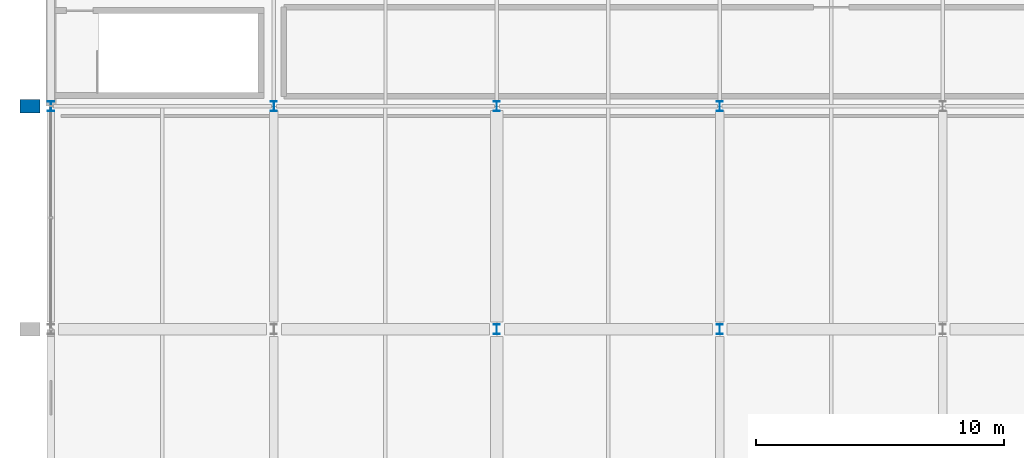
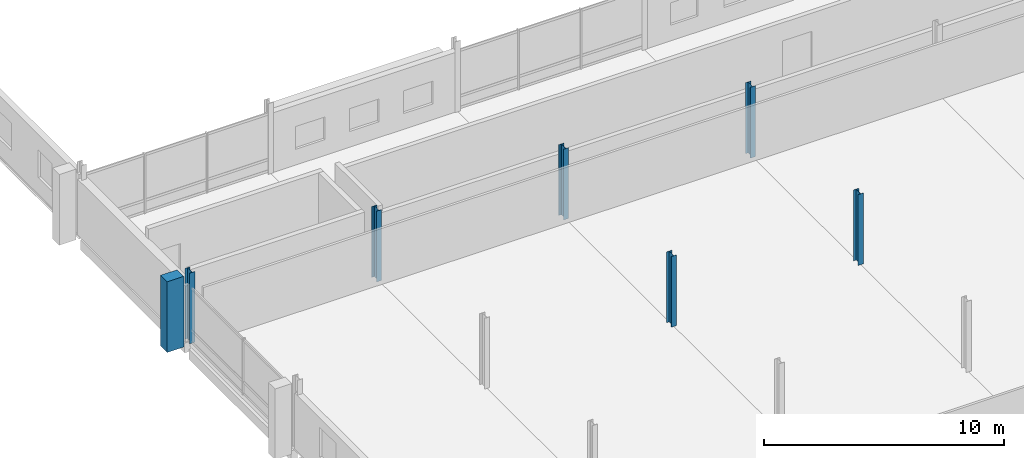
# One storey, part 7 of 132: 7 columns.
"""IFC4 building model written with IfcOpenShell, lengths in metres."""

import ifcopenshell
import ifcopenshell.guid

model = None  # the IFC model being written
_history = None  # IfcOwnerHistory: only IFC2X3 demands one
_inside = {}  # id of a spatial element -> (the spatial element, [elements in it])
_under = {}  # id of a project, library or spatial element -> (it, [spatial elements below it])
_declared = {}  # id of a project -> (the project, [libraries it declares])
_typed = {}  # id of a type object -> (the type object, [elements of that type])
_made_of = {}  # id of a material, layer set ... -> (it, [elements and type objects made of it])


def new_model(schema):
    """Start an empty IFC model of exactly this schema.

    Asked for "IFC4X3", IfcOpenShell would pick the latest addendum, in which some entities
    have other attributes; the version numbers below select the first issue.
    IFC2X3 requires an IfcOwnerHistory on every rooted entity: one is made here for all.
    """
    global model, _history
    if schema == "IFC4X3":
        model = ifcopenshell.file(schema_version=(4, 3, 0, 0))
    else:
        model = ifcopenshell.file(schema=schema)
    _inside.clear()
    _under.clear()
    _declared.clear()
    _typed.clear()
    _made_of.clear()
    _history = None
    if model.schema == "IFC2X3":
        org = make("IfcOrganization", Name="unknown")
        user = make(
            "IfcPersonAndOrganization",
            ThePerson=make("IfcPerson", FamilyName="unknown"),
            TheOrganization=org,
        )
        app = make(
            "IfcApplication",
            ApplicationDeveloper=org,
            Version="unknown",
            ApplicationFullName="unknown",
            ApplicationIdentifier="unknown",
        )
        _history = make(
            "IfcOwnerHistory",
            OwningUser=user,
            OwningApplication=app,
            ChangeAction="ADDED",
            CreationDate=0,
        )
    return model


def make(cls, **values):
    """One entity of the class cls with the attributes given. An attribute that is None is left unset."""
    return model.create_entity(
        cls, **{name: value for name, value in values.items() if value is not None}
    )


def rooted(cls, **values):
    """An entity with a GlobalId (a new one), such as an element, a storey or a relation."""
    return make(cls, GlobalId=ifcopenshell.guid.new(), OwnerHistory=_history, **values)


def si_unit(unit_type, name, prefix=None):
    """IfcSIUnit, for example si_unit("LENGTHUNIT", "METRE", prefix="MILLI")."""
    return make("IfcSIUnit", UnitType=unit_type, Prefix=prefix, Name=name)


def assignment(units):
    """IfcUnitAssignment: the units of a project."""
    return None if units is None else make("IfcUnitAssignment", Units=units)


def point(xyz):
    """IfcCartesianPoint."""
    return None if xyz is None else make("IfcCartesianPoint", Coordinates=xyz)


def direction(xyz):
    """IfcDirection."""
    return None if xyz is None else make("IfcDirection", DirectionRatios=xyz)


def frame(location, z_axis=None, x_axis=None):
    """IfcAxis2Placement3D, a coordinate frame: its origin and axes. An axis left out is left unset."""
    return make(
        "IfcAxis2Placement3D",
        Location=point(location),
        Axis=direction(z_axis),
        RefDirection=direction(x_axis),
    )


def frame_2d(location, x_axis=None):
    """IfcAxis2Placement2D, a coordinate frame in the plane: its origin and x axis."""
    return make(
        "IfcAxis2Placement2D", Location=point(location), RefDirection=direction(x_axis)
    )


def origin():
    """The frame at (0, 0, 0) with its axes left unset."""
    return frame((0.0, 0.0, 0.0))


def origin_2d():
    """The frame at (0, 0) in the plane with its x axis left unset."""
    return frame_2d((0.0, 0.0))


def place(relative_to, where):
    """IfcLocalPlacement: puts the frame where relative to a parent placement (None: the world)."""
    return make(
        "IfcLocalPlacement", PlacementRelTo=relative_to, RelativePlacement=where
    )


def context(
    kind, dimensions, precision=None, world=None, true_north=None, identifier=None
):
    """IfcGeometricRepresentationContext, for example the 3D "Model" context."""
    return make(
        "IfcGeometricRepresentationContext",
        ContextIdentifier=identifier,
        ContextType=kind,
        CoordinateSpaceDimension=dimensions,
        Precision=precision,
        WorldCoordinateSystem=world,
        TrueNorth=true_north,
    )


def subcontext(parent, identifier, kind, view, scale=None):
    """IfcGeometricRepresentationSubContext, for example "Body" below "Model"."""
    return make(
        "IfcGeometricRepresentationSubContext",
        ContextIdentifier=identifier,
        ContextType=kind,
        ParentContext=parent,
        TargetScale=scale,
        TargetView=view,
    )


def project(units=None, contexts=None):
    """IfcProject with its units and contexts."""
    return rooted(
        "IfcProject",
        Name="project",
        RepresentationContexts=contexts,
        UnitsInContext=assignment(units),
    )


def spatial(cls, under=None, at=None, **own):
    """A site, building, storey or space (cls), placed at a placement, below another one or the project."""
    s = rooted(cls, ObjectPlacement=at, **own)
    if under is not None:
        _under.setdefault(under.id(), (under, []))[1].append(s)
    return s


def profile(cls, at=None, kind="AREA", **sizes):
    """A parametric profile (cls). Its sizes go by their IFC names, for example OverallWidth=200.0."""
    return make(cls, ProfileType=kind, Position=at, **sizes)


def rectangle(**sizes):
    """IfcRectangleProfileDef."""
    return profile("IfcRectangleProfileDef", **sizes)


def i_section(**sizes):
    """IfcIShapeProfileDef."""
    return profile("IfcIShapeProfileDef", **sizes)


def extrude(swept, where, along, depth):
    """IfcExtrudedAreaSolid: the profile swept, set in the frame where, extruded along a direction by depth."""
    return make(
        "IfcExtrudedAreaSolid",
        SweptArea=swept,
        Position=where,
        ExtrudedDirection=direction(along),
        Depth=depth,
    )


def shape(context_of_items, identifier, shape_type, items):
    """IfcShapeRepresentation: the items that make up one representation, for example the "Body"."""
    return make(
        "IfcShapeRepresentation",
        ContextOfItems=context_of_items,
        RepresentationIdentifier=identifier,
        RepresentationType=shape_type,
        Items=items,
    )


def material(Name=None, Category=None):
    """IfcMaterial."""
    return make("IfcMaterial", Name=Name, Category=Category)


def material_profile(
    of_material, cross_section, Name=None, Category=None, Priority=None
):
    """IfcMaterialProfile: a cross section and its material."""
    return make(
        "IfcMaterialProfile",
        Name=Name,
        Material=of_material,
        Profile=cross_section,
        Priority=Priority,
        Category=Category,
    )


def profile_set(profiles, Name=None, composite=None):
    """IfcMaterialProfileSet."""
    return make(
        "IfcMaterialProfileSet",
        Name=Name,
        MaterialProfiles=profiles,
        CompositeProfile=composite,
    )


def made_of(thing, what):
    """Note that an element or type object is made of a material, layer set ...; save() writes the relation."""
    if what is not None:
        _made_of.setdefault(what.id(), (what, []))[1].append(thing)
    return thing


def type_object(cls, material=None, **own):
    """A type object (cls), such as IfcWallType, which elements share."""
    return made_of(rooted(cls, **own), material)


def element(
    cls,
    number,
    at=None,
    inside=None,
    cuts=None,
    type_object=None,
    material=None,
    context=None,
    identifier="Body",
    shape_type=None,
    held_by="IfcProductDefinitionShape",
    body=None,
    shapes=None,
    **own,
):
    """One element of the class cls, such as IfcWall. Its Tag is "e" and its number.

    at: its placement. inside: the storey or other place that contains it. cuts: it is an
    opening in that element (IfcRelVoidsElement). A single representation is given by context,
    identifier, shape_type and body (its items); several are given by shapes. held_by: the class
    of the entity that holds the representations. save() writes the other relations.
    """
    e = rooted(cls, Tag="e%d" % number, ObjectPlacement=at, **own)
    if body is not None:
        shapes = [shape(context, identifier, shape_type, body)]
    if shapes is not None:
        e.Representation = make(held_by, Representations=shapes)
    if inside is not None:
        _inside.setdefault(inside.id(), (inside, []))[1].append(e)
    if cuts is not None:
        rooted(
            "IfcRelVoidsElement", RelatingBuildingElement=cuts, RelatedOpeningElement=e
        )
    if type_object is not None:
        _typed.setdefault(type_object.id(), (type_object, []))[1].append(e)
    return made_of(e, material)


def aggregate(whole, parts):
    """IfcRelAggregates: a whole, such as a stair, and the parts it consists of."""
    return rooted("IfcRelAggregates", RelatingObject=whole, RelatedObjects=parts)


def save(model, path):
    """Write the relations noted so far, then the file.

    IfcRelAggregates (storeys below a building ...), IfcRelContainedInSpatialStructure (elements
    in a storey), IfcRelDefinesByType, IfcRelAssociatesMaterial and IfcRelDeclares: one each for
    every whole, place, type object, material and project.
    """
    for whole, parts in _under.values():
        aggregate(whole, parts)
    for where, things in _inside.values():
        rooted(
            "IfcRelContainedInSpatialStructure",
            RelatedElements=things,
            RelatingStructure=where,
        )
    for kind, things in _typed.values():
        rooted("IfcRelDefinesByType", RelatedObjects=things, RelatingType=kind)
    for what, things in _made_of.values():
        rooted("IfcRelAssociatesMaterial", RelatedObjects=things, RelatingMaterial=what)
    for by, libraries in _declared.values():
        rooted("IfcRelDeclares", RelatingContext=by, RelatedDefinitions=libraries)
    model.write(path)


model = new_model("IFC4")

# Units and contexts
model_context = context("Model", 3, precision=1e-05, world=origin(), true_north=direction((0.0, 1.0)))
body_context = subcontext(model_context, "Body", "Model", "MODEL_VIEW")
ifc_project = project(units=[si_unit("LENGTHUNIT", "METRE"), si_unit("AREAUNIT", "SQUARE_METRE"), si_unit("VOLUMEUNIT", "CUBIC_METRE"), si_unit("PLANEANGLEUNIT", "RADIAN"), si_unit("MASSUNIT", "GRAM", prefix="KILO")], contexts=[model_context])

# Site, building, storey
site_placement = place(None, origin())
site = spatial("IfcSite", under=ifc_project, at=site_placement, CompositionType="ELEMENT")
building_placement = place(site_placement, origin())
building = spatial("IfcBuilding", under=site, at=building_placement, Name="Tharagai Park Tramway Depot", CompositionType="ELEMENT")
storey_placement = place(building_placement, frame((0.0, 0.0, 4.800048828125)))
storey = spatial("IfcBuildingStorey", under=building, at=storey_placement, Name="L01", CompositionType="ELEMENT", Elevation=4.800048828125)

# Columns
ifc_material_1 = material(Name="Steel E350", Category="steel")
ifc_material_profile_1 = material_profile(ifc_material_1, i_section(OverallWidth=0.25, OverallDepth=0.39990234375, WebThickness=0.010498046875, FlangeThickness=0.0126953125, FilletRadius=0.013916015625, at=origin_2d()), Name="ISHB 400")
ifc_profile_set_1 = profile_set([ifc_material_profile_1], Name="Steel E350")
column_type_1 = type_object("IfcColumnType", Name="CL-06", PredefinedType="COLUMN", material=ifc_profile_set_1)
for number, where, z_axis, x_axis, name in (
    (1, (0.0, 90.0, 0.0), (0.0, 0.0, 1.0), (1.0, 0.0, 0.0), "L01 Structural Column CL-06 (0,90)"),
    (2, (9.0, 90.0, 0.0), (0.0, 0.0, 1.0), (1.0, 0.0, 0.0), "L01 Structural Column CL-06 (9,90)"),
    (3, (18.0, 81.0, 0.0), (0.0, 0.0, 1.0), (1.0, 0.0, 0.0), "L01 Structural Column CL-06 (18,81)"),
    (4, (18.0, 90.0, 0.0), (0.0, 0.0, 1.0), (1.0, 0.0, 0.0), "L01 Structural Column CL-06 (18,90)"),
    (5, (27.0, 81.0, 0.0), (0.0, 0.0, 1.0), (1.0, 0.0, 0.0), "L01 Structural Column CL-06 (27,81)"),
    (6, (27.0, 90.0, 0.0), (0.0, 0.0, 1.0), (1.0, 0.0, 0.0), "L01 Structural Column CL-06 (27,90)"),
):
    element("IfcColumn", number, at=place(storey_placement, frame(where, z_axis=z_axis, x_axis=x_axis)), inside=storey, type_object=column_type_1, Name=name, PredefinedType="COLUMN", context=body_context, shape_type="SweptSolid", body=[
        extrude(i_section(OverallWidth=0.25, OverallDepth=0.39990234375, WebThickness=0.010498046875, FlangeThickness=0.0126953125, FilletRadius=0.013916015625, at=origin_2d()), origin(), (0.0, 0.0, 1.0), 3.599853515625),
    ])
ifc_material_2 = material(Name="Concrete M40", Category="concrete")
ifc_material_profile_2 = material_profile(ifc_material_2, rectangle(XDim=0.550048828125, YDim=0.800048828125, at=origin_2d()), Name="RC 550x800")
ifc_profile_set_2 = profile_set([ifc_material_profile_2], Name="Concrete M40")
column_type_2 = type_object("IfcColumnType", Name="PL-02", PredefinedType="PILASTER", material=ifc_profile_set_2)
column_placement = place(storey_placement, frame((-0.85009765625, 90.0, 0.0), z_axis=(0.0, 0.0, 1.0), x_axis=(0.0, 1.0, 0.0)))
element("IfcColumn", 7, at=column_placement, inside=storey, type_object=column_type_2, Name="L01 Stepped Gothic Buttress PL-02 W-090", PredefinedType="PILASTER", context=body_context, shape_type="SweptSolid", body=[
    extrude(rectangle(XDim=0.550048828125, YDim=0.800048828125, at=origin_2d()), origin(), (0.0, 0.0, 1.0), 3.599853515625),
])

save(model, "model.ifc")
